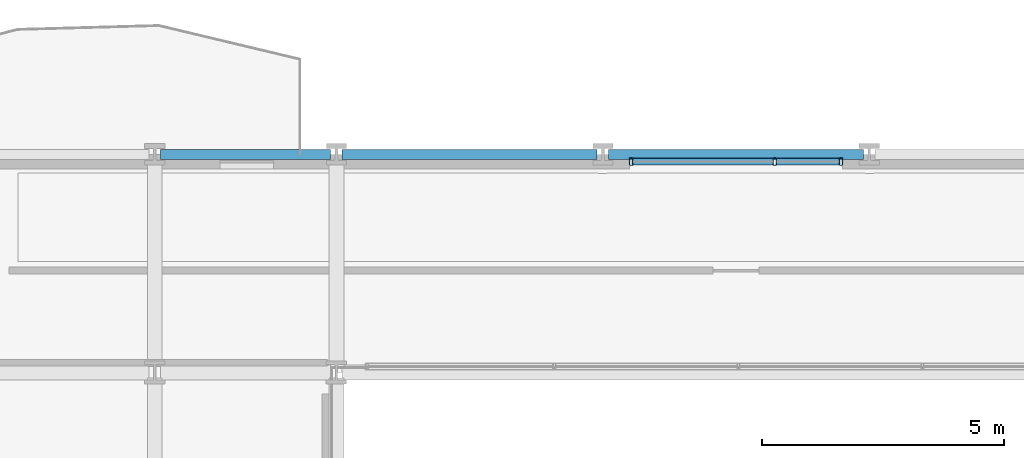
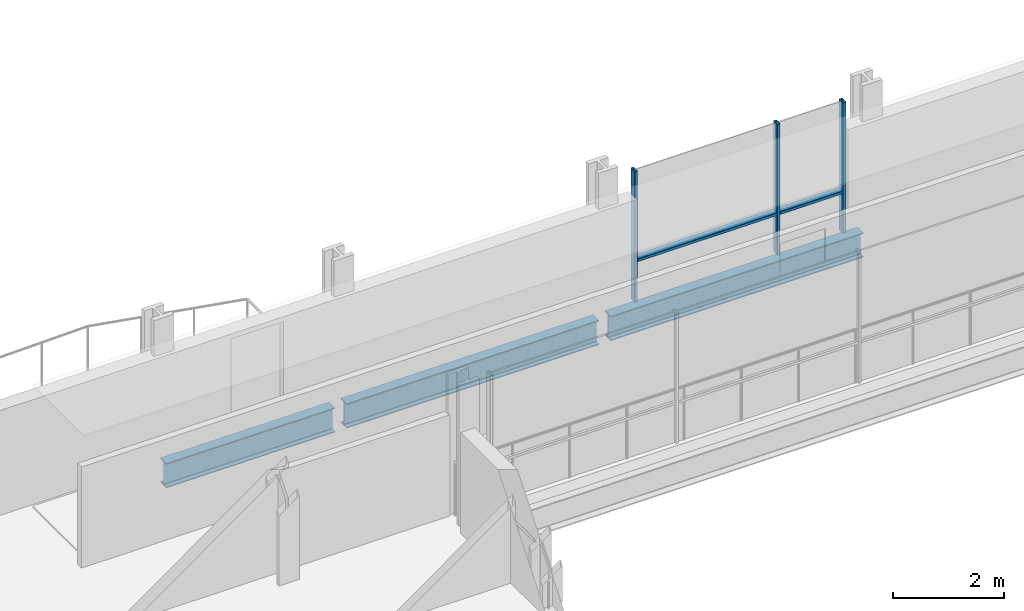
# One storey, part 22 of 41: 5 members, 3 beams, 1 element without a shape of its own.
"""IFC4 building model written with IfcOpenShell, lengths in metres."""

from ifc_helpers import new_model, si_unit, direction, frame, origin, origin_2d, place, context, subcontext, project, spatial, hollow_rectangle, i_section, extrude, material, layer, layer_set, material_profile, profile_set, type_object, element, aggregate, save


model = new_model("IFC4")

# Units and contexts
model_context = context("Model", 3, precision=1e-05, world=origin(), true_north=direction((0.0, 1.0)))
body_context = subcontext(model_context, "Body", "Model", "MODEL_VIEW")
ifc_project = project(units=[si_unit("LENGTHUNIT", "METRE"), si_unit("AREAUNIT", "SQUARE_METRE"), si_unit("VOLUMEUNIT", "CUBIC_METRE"), si_unit("PLANEANGLEUNIT", "RADIAN"), si_unit("MASSUNIT", "GRAM", prefix="KILO")], contexts=[model_context])

# Site, building, storey
site_placement = place(None, origin())
site = spatial("IfcSite", under=ifc_project, at=site_placement, CompositionType="ELEMENT")
building_placement = place(site_placement, origin())
building = spatial("IfcBuilding", under=site, at=building_placement, Name="Brevholm Reach", CompositionType="ELEMENT")
storey_placement = place(building_placement, frame((0.0, 0.0, 55.89990234375)))
storey = spatial("IfcBuildingStorey", under=building, at=storey_placement, Name="L15", CompositionType="ELEMENT", Elevation=55.89990234375)

# Beams
ifc_material_1 = material(Name="Structural Steel S355J2", Category="steel")
ifc_material_profile_1 = material_profile(ifc_material_1, i_section(OverallWidth=0.210693359375, OverallDepth=0.53955078125, WebThickness=0.01171875, FlangeThickness=0.018798828125, FilletRadius=0.0126953125, at=origin_2d()), Name="UKB 533x210x109")
ifc_profile_set_1 = profile_set([ifc_material_profile_1], Name="Structural Steel S355J2")
beam_type = type_object("IfcBeamType", Name="BM-SP539", PredefinedType="SPANDREL", material=ifc_profile_set_1)
beam_placement = place(storey_placement, frame((18.1201171875, 31.0, -0.499755859375), z_axis=(1.0, 0.0, 0.0), x_axis=(0.0, 1.0, 0.0)))
element("IfcBeam", 1, at=beam_placement, inside=storey, type_object=beam_type, Name="L15 SP-01B Framing Beam", PredefinedType="SPANDREL", context=body_context, shape_type="SweptSolid", body=[
    extrude(i_section(OverallWidth=0.210693359375, OverallDepth=0.53955078125, WebThickness=0.01171875, FlangeThickness=0.018798828125, FilletRadius=0.0126953125, at=origin_2d()), origin(), (0.0, 0.0, 1.0), 3.509765625),
])
for number, where, z_axis, x_axis, name in (
    (2, (21.8701171875, 31.0, -0.499755859375), (1.0, 0.0, 0.0), (0.0, 1.0, 0.0), "L15 SP-01B Framing Beam"),
    (3, (27.3701171875, 31.0, -0.499755859375), (1.0, 0.0, 0.0), (0.0, 1.0, 0.0), "L15 SP-01B Framing Beam"),
):
    element("IfcBeam", number, at=place(storey_placement, frame(where, z_axis=z_axis, x_axis=x_axis)), inside=storey, type_object=beam_type, Name=name, PredefinedType="SPANDREL", context=body_context, shape_type="SweptSolid", body=[
        extrude(i_section(OverallWidth=0.210693359375, OverallDepth=0.53955078125, WebThickness=0.01171875, FlangeThickness=0.018798828125, FilletRadius=0.0126953125, at=origin_2d()), origin(), (0.0, 0.0, 1.0), 5.259765625),
    ])

# Curtain wall, members
ifc_material_2 = material(Name="Dark Anodised Aluminium 6063-T6 and Solar-Control Glass", Category="aluminium")
ifc_layer = layer(ifc_material_2, 0.14990234375)
ifc_layer_set = layer_set([ifc_layer], Name="Dark Anodised Aluminium 6063-T6 and Solar-Control Glass")
curtain_wall_type = type_object("IfcCurtainWallType", Name="CW-01", PredefinedType="NOTDEFINED", material=ifc_layer_set)
curtain_wall_placement = place(storey_placement, origin())
curtain_wall = element("IfcCurtainWall", 4, at=curtain_wall_placement, inside=storey, type_object=curtain_wall_type, Name="L15 Curtain Wall CW-01", PredefinedType="NOTDEFINED")
ifc_material_3 = material(Name="Dark Anodised Aluminium 6063-T6", Category="aluminium")
ifc_material_profile_2 = material_profile(ifc_material_3, hollow_rectangle(XDim=0.06494140625, YDim=0.14990234375, WallThickness=0.0048828125, InnerFilletRadius=0.0048828125, OuterFilletRadius=0.010009765625, at=origin_2d()), Name="RHS 150x65x5")
ifc_profile_set_2 = profile_set([ifc_material_profile_2], Name="Dark Anodised Aluminium 6063-T6")
member_type_1 = type_object("IfcMemberType", Name="CWM-150", PredefinedType="MULLION", material=ifc_profile_set_2)
member_1_placement = place(storey_placement, frame((27.83251953125, 30.85009765625, 0.0), z_axis=(0.0, 0.0, 1.0), x_axis=(1.0, 0.0, 0.0)))
member_1 = element("IfcMember", 5, at=member_1_placement, type_object=member_type_1, Name="CM-150 Mullion 1", PredefinedType="MULLION", context=body_context, shape_type="SweptSolid", body=[
    extrude(hollow_rectangle(XDim=0.06494140625, YDim=0.14990234375, WallThickness=0.0048828125, InnerFilletRadius=0.0048828125, OuterFilletRadius=0.010009765625, at=origin_2d()), origin(), (0.0, 0.0, 1.0), 2.8701171875),
])
member_2_placement = place(storey_placement, frame((30.800048828125, 30.85009765625, 0.0), z_axis=(0.0, 0.0, 1.0), x_axis=(1.0, 0.0, 0.0)))
member_2 = element("IfcMember", 6, at=member_2_placement, type_object=member_type_1, Name="CM-150 Mullion 2", PredefinedType="MULLION", context=body_context, shape_type="SweptSolid", body=[
    extrude(hollow_rectangle(XDim=0.06494140625, YDim=0.14990234375, WallThickness=0.0048828125, InnerFilletRadius=0.0048828125, OuterFilletRadius=0.010009765625, at=origin_2d()), origin(), (0.0, 0.0, 1.0), 2.8701171875),
])
member_3_placement = place(storey_placement, frame((32.16748046875, 30.85009765625, 0.0), z_axis=(0.0, 0.0, 1.0), x_axis=(1.0, 0.0, 0.0)))
member_3 = element("IfcMember", 7, at=member_3_placement, type_object=member_type_1, Name="CM-150 Mullion 3", PredefinedType="MULLION", context=body_context, shape_type="SweptSolid", body=[
    extrude(hollow_rectangle(XDim=0.06494140625, YDim=0.14990234375, WallThickness=0.0048828125, InnerFilletRadius=0.0048828125, OuterFilletRadius=0.010009765625, at=origin_2d()), origin(), (0.0, 0.0, 1.0), 2.8701171875),
])
ifc_material_4 = material(Name="Dark Anodised Aluminium 6063-T6", Category="aluminium")
ifc_material_profile_3 = material_profile(ifc_material_4, hollow_rectangle(XDim=0.06494140625, YDim=0.14990234375, WallThickness=0.0048828125, InnerFilletRadius=0.0048828125, OuterFilletRadius=0.010009765625, at=origin_2d()), Name="RHS 150x65x5")
ifc_profile_set_3 = profile_set([ifc_material_profile_3], Name="Dark Anodised Aluminium 6063-T6")
member_type_2 = type_object("IfcMemberType", Name="CWT-150", PredefinedType="NOTDEFINED", material=ifc_profile_set_3)
member_4_placement = place(storey_placement, frame((27.864990234375, 30.85009765625, 0.900146484375), z_axis=(1.0, 0.0, 0.0), x_axis=(0.0, 0.0, 1.0)))
member_4 = element("IfcMember", 8, at=member_4_placement, type_object=member_type_2, Name="CT-150 Transom 1.1", ObjectType="TRANSOM", PredefinedType="USERDEFINED", context=body_context, shape_type="SweptSolid", body=[
    extrude(hollow_rectangle(XDim=0.06494140625, YDim=0.14990234375, WallThickness=0.0048828125, InnerFilletRadius=0.0048828125, OuterFilletRadius=0.010009765625, at=origin_2d()), origin(), (0.0, 0.0, 1.0), 2.902587890625),
])
member_5_placement = place(storey_placement, frame((30.83251953125, 30.85009765625, 0.900146484375), z_axis=(1.0, 0.0, 0.0), x_axis=(0.0, 0.0, 1.0)))
member_5 = element("IfcMember", 9, at=member_5_placement, type_object=member_type_2, Name="CT-150 Transom 2.1", ObjectType="TRANSOM", PredefinedType="USERDEFINED", context=body_context, shape_type="SweptSolid", body=[
    extrude(hollow_rectangle(XDim=0.06494140625, YDim=0.14990234375, WallThickness=0.0048828125, InnerFilletRadius=0.0048828125, OuterFilletRadius=0.010009765625, at=origin_2d()), origin(), (0.0, 0.0, 1.0), 1.302490234375),
])
aggregate(curtain_wall, [member_1, member_2, member_3, member_4, member_5])

save(model, "model.ifc")
